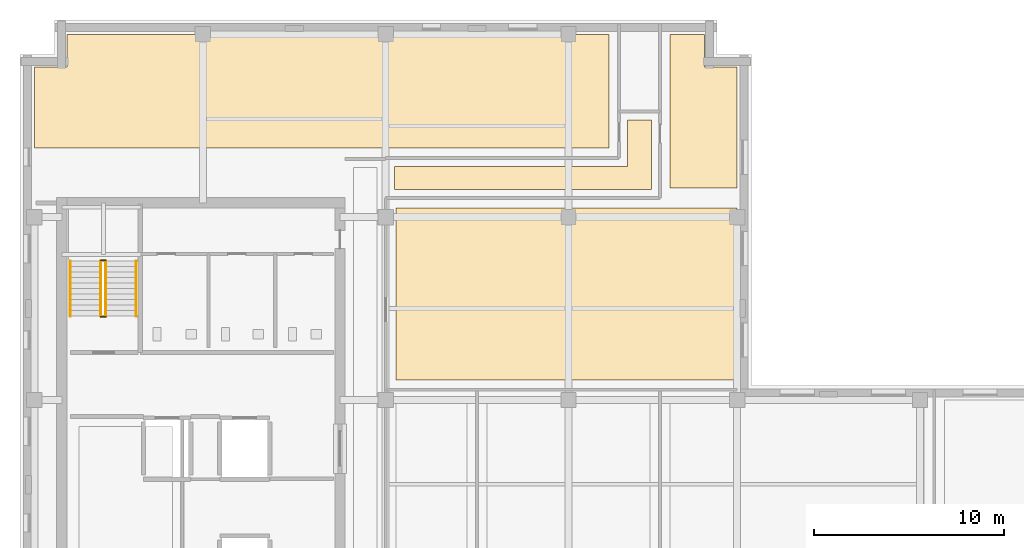
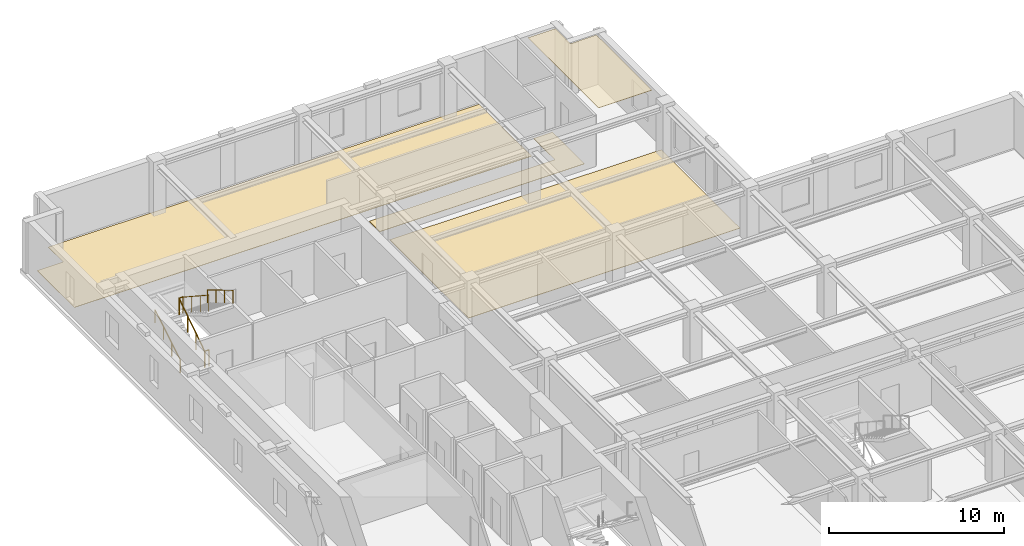
# One storey, part 9 of 10: 6 railings, 4 coverings.
"""IFC4 building model written with IfcOpenShell, lengths in metres."""

import ifcopenshell
import ifcopenshell.guid

model = None  # the IFC model being written
_history = None  # IfcOwnerHistory: only IFC2X3 demands one
_inside = {}  # id of a spatial element -> (the spatial element, [elements in it])
_under = {}  # id of a project, library or spatial element -> (it, [spatial elements below it])
_declared = {}  # id of a project -> (the project, [libraries it declares])
_typed = {}  # id of a type object -> (the type object, [elements of that type])
_made_of = {}  # id of a material, layer set ... -> (it, [elements and type objects made of it])


def new_model(schema):
    """Start an empty IFC model of exactly this schema.

    Asked for "IFC4X3", IfcOpenShell would pick the latest addendum, in which some entities
    have other attributes; the version numbers below select the first issue.
    IFC2X3 requires an IfcOwnerHistory on every rooted entity: one is made here for all.
    """
    global model, _history
    if schema == "IFC4X3":
        model = ifcopenshell.file(schema_version=(4, 3, 0, 0))
    else:
        model = ifcopenshell.file(schema=schema)
    _inside.clear()
    _under.clear()
    _declared.clear()
    _typed.clear()
    _made_of.clear()
    _history = None
    if model.schema == "IFC2X3":
        org = make("IfcOrganization", Name="unknown")
        user = make(
            "IfcPersonAndOrganization",
            ThePerson=make("IfcPerson", FamilyName="unknown"),
            TheOrganization=org,
        )
        app = make(
            "IfcApplication",
            ApplicationDeveloper=org,
            Version="unknown",
            ApplicationFullName="unknown",
            ApplicationIdentifier="unknown",
        )
        _history = make(
            "IfcOwnerHistory",
            OwningUser=user,
            OwningApplication=app,
            ChangeAction="ADDED",
            CreationDate=0,
        )
    return model


def make(cls, **values):
    """One entity of the class cls with the attributes given. An attribute that is None is left unset."""
    return model.create_entity(
        cls, **{name: value for name, value in values.items() if value is not None}
    )


def rooted(cls, **values):
    """An entity with a GlobalId (a new one), such as an element, a storey or a relation."""
    return make(cls, GlobalId=ifcopenshell.guid.new(), OwnerHistory=_history, **values)


def si_unit(unit_type, name, prefix=None):
    """IfcSIUnit, for example si_unit("LENGTHUNIT", "METRE", prefix="MILLI")."""
    return make("IfcSIUnit", UnitType=unit_type, Prefix=prefix, Name=name)


def assignment(units):
    """IfcUnitAssignment: the units of a project."""
    return None if units is None else make("IfcUnitAssignment", Units=units)


def point(xyz):
    """IfcCartesianPoint."""
    return None if xyz is None else make("IfcCartesianPoint", Coordinates=xyz)


def direction(xyz):
    """IfcDirection."""
    return None if xyz is None else make("IfcDirection", DirectionRatios=xyz)


def frame(location, z_axis=None, x_axis=None):
    """IfcAxis2Placement3D, a coordinate frame: its origin and axes. An axis left out is left unset."""
    return make(
        "IfcAxis2Placement3D",
        Location=point(location),
        Axis=direction(z_axis),
        RefDirection=direction(x_axis),
    )


def frame_2d(location, x_axis=None):
    """IfcAxis2Placement2D, a coordinate frame in the plane: its origin and x axis."""
    return make(
        "IfcAxis2Placement2D", Location=point(location), RefDirection=direction(x_axis)
    )


def origin():
    """The frame at (0, 0, 0) with its axes left unset."""
    return frame((0.0, 0.0, 0.0))


def origin_2d():
    """The frame at (0, 0) in the plane with its x axis left unset."""
    return frame_2d((0.0, 0.0))


def place(relative_to, where):
    """IfcLocalPlacement: puts the frame where relative to a parent placement (None: the world)."""
    return make(
        "IfcLocalPlacement", PlacementRelTo=relative_to, RelativePlacement=where
    )


def context(
    kind, dimensions, precision=None, world=None, true_north=None, identifier=None
):
    """IfcGeometricRepresentationContext, for example the 3D "Model" context."""
    return make(
        "IfcGeometricRepresentationContext",
        ContextIdentifier=identifier,
        ContextType=kind,
        CoordinateSpaceDimension=dimensions,
        Precision=precision,
        WorldCoordinateSystem=world,
        TrueNorth=true_north,
    )


def subcontext(parent, identifier, kind, view, scale=None):
    """IfcGeometricRepresentationSubContext, for example "Body" below "Model"."""
    return make(
        "IfcGeometricRepresentationSubContext",
        ContextIdentifier=identifier,
        ContextType=kind,
        ParentContext=parent,
        TargetScale=scale,
        TargetView=view,
    )


def project(units=None, contexts=None):
    """IfcProject with its units and contexts."""
    return rooted(
        "IfcProject",
        Name="project",
        RepresentationContexts=contexts,
        UnitsInContext=assignment(units),
    )


def spatial(cls, under=None, at=None, **own):
    """A site, building, storey or space (cls), placed at a placement, below another one or the project."""
    s = rooted(cls, ObjectPlacement=at, **own)
    if under is not None:
        _under.setdefault(under.id(), (under, []))[1].append(s)
    return s


def polyline(points):
    """IfcPolyline through the points."""
    return make("IfcPolyline", Points=[point(p) for p in points])


def profile(cls, at=None, kind="AREA", **sizes):
    """A parametric profile (cls). Its sizes go by their IFC names, for example OverallWidth=200.0."""
    return make(cls, ProfileType=kind, Position=at, **sizes)


def circle(**sizes):
    """IfcCircleProfileDef."""
    return profile("IfcCircleProfileDef", **sizes)


def outline(outer, holes=None, kind="AREA"):
    """IfcArbitraryClosedProfileDef: a profile drawn as a closed curve; with holes, ...WithVoids."""
    if holes is None:
        return make("IfcArbitraryClosedProfileDef", ProfileType=kind, OuterCurve=outer)
    return make(
        "IfcArbitraryProfileDefWithVoids",
        ProfileType=kind,
        OuterCurve=outer,
        InnerCurves=holes,
    )


def extrude(swept, where, along, depth):
    """IfcExtrudedAreaSolid: the profile swept, set in the frame where, extruded along a direction by depth."""
    return make(
        "IfcExtrudedAreaSolid",
        SweptArea=swept,
        Position=where,
        ExtrudedDirection=direction(along),
        Depth=depth,
    )


def shape(context_of_items, identifier, shape_type, items):
    """IfcShapeRepresentation: the items that make up one representation, for example the "Body"."""
    return make(
        "IfcShapeRepresentation",
        ContextOfItems=context_of_items,
        RepresentationIdentifier=identifier,
        RepresentationType=shape_type,
        Items=items,
    )


def material(Name=None, Category=None):
    """IfcMaterial."""
    return make("IfcMaterial", Name=Name, Category=Category)


def layer(
    of_material, thickness, ventilated=None, Name=None, Category=None, Priority=None
):
    """IfcMaterialLayer: one layer of a wall or slab, of a material (None: an air gap)."""
    return make(
        "IfcMaterialLayer",
        Material=of_material,
        LayerThickness=thickness,
        IsVentilated=ventilated,
        Name=Name,
        Category=Category,
        Priority=Priority,
    )


def layer_set(layers, Name=None):
    """IfcMaterialLayerSet."""
    return make("IfcMaterialLayerSet", MaterialLayers=layers, LayerSetName=Name)


def made_of(thing, what):
    """Note that an element or type object is made of a material, layer set ...; save() writes the relation."""
    if what is not None:
        _made_of.setdefault(what.id(), (what, []))[1].append(thing)
    return thing


def type_object(cls, material=None, **own):
    """A type object (cls), such as IfcWallType, which elements share."""
    return made_of(rooted(cls, **own), material)


def element(
    cls,
    number,
    at=None,
    inside=None,
    cuts=None,
    type_object=None,
    material=None,
    context=None,
    identifier="Body",
    shape_type=None,
    held_by="IfcProductDefinitionShape",
    body=None,
    shapes=None,
    **own,
):
    """One element of the class cls, such as IfcWall. Its Tag is "e" and its number.

    at: its placement. inside: the storey or other place that contains it. cuts: it is an
    opening in that element (IfcRelVoidsElement). A single representation is given by context,
    identifier, shape_type and body (its items); several are given by shapes. held_by: the class
    of the entity that holds the representations. save() writes the other relations.
    """
    e = rooted(cls, Tag="e%d" % number, ObjectPlacement=at, **own)
    if body is not None:
        shapes = [shape(context, identifier, shape_type, body)]
    if shapes is not None:
        e.Representation = make(held_by, Representations=shapes)
    if inside is not None:
        _inside.setdefault(inside.id(), (inside, []))[1].append(e)
    if cuts is not None:
        rooted(
            "IfcRelVoidsElement", RelatingBuildingElement=cuts, RelatedOpeningElement=e
        )
    if type_object is not None:
        _typed.setdefault(type_object.id(), (type_object, []))[1].append(e)
    return made_of(e, material)


def aggregate(whole, parts):
    """IfcRelAggregates: a whole, such as a stair, and the parts it consists of."""
    return rooted("IfcRelAggregates", RelatingObject=whole, RelatedObjects=parts)


def save(model, path):
    """Write the relations noted so far, then the file.

    IfcRelAggregates (storeys below a building ...), IfcRelContainedInSpatialStructure (elements
    in a storey), IfcRelDefinesByType, IfcRelAssociatesMaterial and IfcRelDeclares: one each for
    every whole, place, type object, material and project.
    """
    for whole, parts in _under.values():
        aggregate(whole, parts)
    for where, things in _inside.values():
        rooted(
            "IfcRelContainedInSpatialStructure",
            RelatedElements=things,
            RelatingStructure=where,
        )
    for kind, things in _typed.values():
        rooted("IfcRelDefinesByType", RelatedObjects=things, RelatingType=kind)
    for what, things in _made_of.values():
        rooted("IfcRelAssociatesMaterial", RelatedObjects=things, RelatingMaterial=what)
    for by, libraries in _declared.values():
        rooted("IfcRelDeclares", RelatingContext=by, RelatedDefinitions=libraries)
    model.write(path)


model = new_model("IFC4")

# Units and contexts
model_context = context("Model", 3, precision=1e-05, world=origin(), true_north=direction((0.0, 1.0)))
body_context = subcontext(model_context, "Body", "Model", "MODEL_VIEW")
ifc_project = project(units=[si_unit("LENGTHUNIT", "METRE"), si_unit("AREAUNIT", "SQUARE_METRE"), si_unit("VOLUMEUNIT", "CUBIC_METRE"), si_unit("PLANEANGLEUNIT", "RADIAN"), si_unit("MASSUNIT", "GRAM", prefix="KILO")], contexts=[model_context])

# Site, building, storey
site_placement = place(None, origin())
site = spatial("IfcSite", under=ifc_project, at=site_placement, CompositionType="ELEMENT")
building_placement = place(site_placement, origin())
building = spatial("IfcBuilding", under=site, at=building_placement, Name="Norrvale University Quadrangle", CompositionType="ELEMENT")
storey_placement = place(building_placement, frame((0.0, 0.0, 233.199951171875)))
storey = spatial("IfcBuildingStorey", under=building, at=storey_placement, Name="L59", CompositionType="ELEMENT", Elevation=233.199951171875)

# Coverings
ifc_material_1 = material(Name="Perforated Acoustic Mineral Ceiling")
ifc_layer_1 = layer(ifc_material_1, 0.02490234375, Name="Perforated Acoustic Mineral Ceiling")
ifc_layer_set_1 = layer_set([ifc_layer_1], Name="Perforated Acoustic Mineral Ceiling")
covering_type_1 = type_object("IfcCoveringType", Name="Covering Acoustic Ceiling 25", PredefinedType="CEILING", material=ifc_layer_set_1)
covering_1_placement = place(storey_placement, frame((0.0, 0.0, 3.51513671875)))
element("IfcCovering", 1, at=covering_1_placement, inside=storey, type_object=covering_type_1, Name="Acoustic Ceiling RM-L59-NE01", PredefinedType="CEILING", context=body_context, shape_type="SweptSolid", body=[
    extrude(outline(polyline([(37.64990234375, 48.780029296875), (34.1298828125, 48.780029296875), (34.1298828125, 56.85009765625), (35.929931640625, 56.85009765625), (35.929931640625, 55.1298828125), (37.64990234375, 55.1298828125), (37.64990234375, 48.780029296875)])), origin(), (0.0, 0.0, 1.0), 0.02490234375),
])
ifc_material_2 = material(Name="Polished Terrazzo Flooring")
ifc_layer_2 = layer(ifc_material_2, 0.02490234375, Name="Polished Terrazzo Flooring")
ifc_layer_set_2 = layer_set([ifc_layer_2], Name="Polished Terrazzo Flooring")
covering_type_2 = type_object("IfcCoveringType", Name="Covering Terrazzo Floor 30", PredefinedType="FLOORING", material=ifc_layer_set_2)
covering_2_placement = place(storey_placement, origin())
element("IfcCovering", 2, at=covering_2_placement, inside=storey, type_object=covering_type_2, Name="Terrazzo Flooring RM-L59-NCJOG", PredefinedType="FLOORING", context=body_context, shape_type="SweptSolid", body=[
    extrude(outline(polyline([(19.64990234375, 48.699951171875), (19.64990234375, 49.89990234375), (31.89990234375, 49.89990234375), (31.89990234375, 52.35009765625), (33.14990234375, 52.35009765625), (33.14990234375, 48.699951171875), (19.64990234375, 48.699951171875)])), origin(), (0.0, 0.0, 1.0), 0.025146484375),
])
covering_3_placement = place(storey_placement, origin())
element("IfcCovering", 3, at=covering_3_placement, inside=storey, type_object=covering_type_2, Name="Terrazzo Flooring RM-L59-MNE01", PredefinedType="FLOORING", context=body_context, shape_type="SweptSolid", body=[
    extrude(outline(polyline([(19.72998046875, 47.719970703125), (37.64990234375, 47.719970703125), (37.64990234375, 38.7099609375), (19.72998046875, 38.7099609375), (19.72998046875, 47.719970703125)])), origin(), (0.0, 0.0, 1.0), 0.025146484375),
])
covering_4_placement = place(storey_placement, origin())
element("IfcCovering", 4, at=covering_4_placement, inside=storey, type_object=covering_type_2, Name="Terrazzo Flooring RM-L59-NW01", PredefinedType="FLOORING", context=body_context, shape_type="SweptSolid", body=[
    extrude(outline(polyline([(30.919921875, 56.85009765625), (30.919921875, 50.8798828125), (0.75, 50.8798828125), (0.75, 55.1298828125), (2.469970703125, 55.1298828125), (2.469970703125, 56.85009765625), (30.919921875, 56.85009765625)])), origin(), (0.0, 0.0, 1.0), 0.025146484375),
])

# Railings
ifc_material_3 = material(Name="Steel 350W Painted Balustrade", Category="steel")
railing_type_1 = type_object("IfcRailingType", Name="Railing Stair Guard 1100", PredefinedType="GUARDRAIL", material=ifc_material_3)
for number, where, name in (
    (5, (4.239990234375, 42.02001953125, 0.0), "Stair Floor Well Guard ST-02 L59"),
    (6, (4.239990234375, 44.97998046875, 1.900146484375), "Stair Mid-Landing Slot Guard ST-02 L59"),
):
    element("IfcRailing", number, at=place(storey_placement, frame(where)), inside=storey, type_object=railing_type_1, Name=name, PredefinedType="GUARDRAIL", context=body_context, shape_type="SweptSolid", body=[
        extrude(circle(Radius=0.02392578125, at=origin_2d()), frame((0.0, 0.0, 1.1259765625), z_axis=(1.0, 0.0, 0.0), x_axis=(0.0, 1.0, 0.0)), (0.0, 0.0, 1.0), 0.27001953125),
        extrude(circle(Radius=0.02099609375, at=origin_2d()), origin(), (0.0, 0.0, 1.0), 1.101806640625),
        extrude(circle(Radius=0.02099609375, at=origin_2d()), frame((0.27001953125, 0.0, 0.0)), (0.0, 0.0, 1.0), 1.101806640625),
    ])
railing_1_placement = place(storey_placement, frame((4.239990234375, 42.050048828125, 0.0)))
element("IfcRailing", 7, at=railing_1_placement, inside=storey, type_object=railing_type_1, Name="Stair Lower Flight Inner Guard ST-02 L59", PredefinedType="GUARDRAIL", context=body_context, shape_type="SweptSolid", body=[
    extrude(circle(Radius=0.02392578125, at=origin_2d()), frame((0.0, 0.0, 1.1259765625), z_axis=(0.0, 0.836433300813, 0.548068730445), x_axis=(-1.0, 0.0, 0.0)), (0.0, 0.0, 1.0), 3.467041015625),
    extrude(circle(Radius=0.02099609375, at=origin_2d()), origin(), (0.0, 0.0, 1.0), 1.101806640625),
    extrude(circle(Radius=0.02099609375, at=origin_2d()), frame((0.0, 0.966552734375, 0.63330078125)), (0.0, 0.0, 1.0), 1.101806640625),
    extrude(circle(Radius=0.02099609375, at=origin_2d()), frame((0.0, 1.933349609375, 1.266845703125)), (0.0, 0.0, 1.0), 1.101806640625),
    extrude(circle(Radius=0.02099609375, at=origin_2d()), frame((0.0, 2.89990234375, 1.900146484375)), (0.0, 0.0, 1.0), 1.101806640625),
])
railing_2_placement = place(storey_placement, frame((4.510009765625, 44.949951171875, 1.900146484375)))
element("IfcRailing", 8, at=railing_2_placement, inside=storey, type_object=railing_type_1, Name="Stair Upper Flight Inner Guard ST-02 L59", PredefinedType="GUARDRAIL", context=body_context, shape_type="SweptSolid", body=[
    extrude(circle(Radius=0.02392578125, at=origin_2d()), frame((0.0, 0.0, 1.1259765625), z_axis=(0.0, -0.836465582154, 0.548019461216), x_axis=(1.0, 0.0, 0.0)), (0.0, 0.0, 1.0), 3.466796875),
    extrude(circle(Radius=0.02099609375, at=origin_2d()), origin(), (0.0, 0.0, 1.0), 1.101806640625),
    extrude(circle(Radius=0.02099609375, at=origin_2d()), frame((0.0, -0.966552734375, 0.63330078125)), (0.0, 0.0, 1.0), 1.101806640625),
    extrude(circle(Radius=0.02099609375, at=origin_2d()), frame((0.0, -1.933349609375, 1.2666015625)), (0.0, 0.0, 1.0), 1.101806640625),
    extrude(circle(Radius=0.02099609375, at=origin_2d()), frame((0.0, -2.89990234375, 1.89990234375)), (0.0, 0.0, 1.0), 1.101806640625),
])
ifc_material_4 = material(Name="Stainless Steel 316L Handrail", Category="steel")
railing_type_2 = type_object("IfcRailingType", Name="Railing Stair Handrail 920", PredefinedType="HANDRAIL", material=ifc_material_4)
railing_3_placement = place(storey_placement, frame((2.639892578125, 42.050048828125, 0.1728515625)))
element("IfcRailing", 9, at=railing_3_placement, inside=storey, type_object=railing_type_2, Name="Stair Lower Flight Handrail ST-02 L59", PredefinedType="HANDRAIL", context=body_context, shape_type="SweptSolid", body=[
    extrude(circle(Radius=0.02392578125, at=origin_2d()), frame((0.0, 0.0, 0.89599609375), z_axis=(0.0, 0.859141464434, 0.511738159696), x_axis=(-1.0, 0.0, 0.0)), (0.0, 0.0, 1.0), 3.375244140625),
    extrude(circle(Radius=0.02099609375, at=origin_2d()), origin(), (0.0, 0.0, 1.0), 0.871826171875),
    extrude(circle(Radius=0.02099609375, at=origin_2d()), frame((0.0, 0.966552734375, 0.57568359375)), (0.0, 0.0, 1.0), 0.871826171875),
    extrude(circle(Radius=0.02099609375, at=origin_2d()), frame((0.0, 1.933349609375, 1.151611328125)), (0.0, 0.0, 1.0), 0.871826171875),
    extrude(circle(Radius=0.02099609375, at=origin_2d()), frame((0.0, 2.89990234375, 1.727294921875)), (0.0, 0.0, 1.0), 0.871826171875),
])
railing_4_placement = place(storey_placement, frame((6.110107421875, 44.949951171875, 2.07275390625)))
element("IfcRailing", 10, at=railing_4_placement, inside=storey, type_object=railing_type_2, Name="Stair Upper Flight Handrail ST-02 L59", PredefinedType="HANDRAIL", context=body_context, shape_type="SweptSolid", body=[
    extrude(circle(Radius=0.02392578125, at=origin_2d()), frame((0.0, 0.0, 0.89599609375), z_axis=(0.0, -0.859141464434, 0.511738159696), x_axis=(1.0, 0.0, 0.0)), (0.0, 0.0, 1.0), 3.375244140625),
    extrude(circle(Radius=0.02099609375, at=origin_2d()), origin(), (0.0, 0.0, 1.0), 0.871826171875),
    extrude(circle(Radius=0.02099609375, at=origin_2d()), frame((0.0, -0.966552734375, 0.57568359375)), (0.0, 0.0, 1.0), 0.871826171875),
    extrude(circle(Radius=0.02099609375, at=origin_2d()), frame((0.0, -1.933349609375, 1.151611328125)), (0.0, 0.0, 1.0), 0.871826171875),
    extrude(circle(Radius=0.02099609375, at=origin_2d()), frame((0.0, -2.89990234375, 1.727294921875)), (0.0, 0.0, 1.0), 0.871826171875),
])

save(model, "model.ifc")
